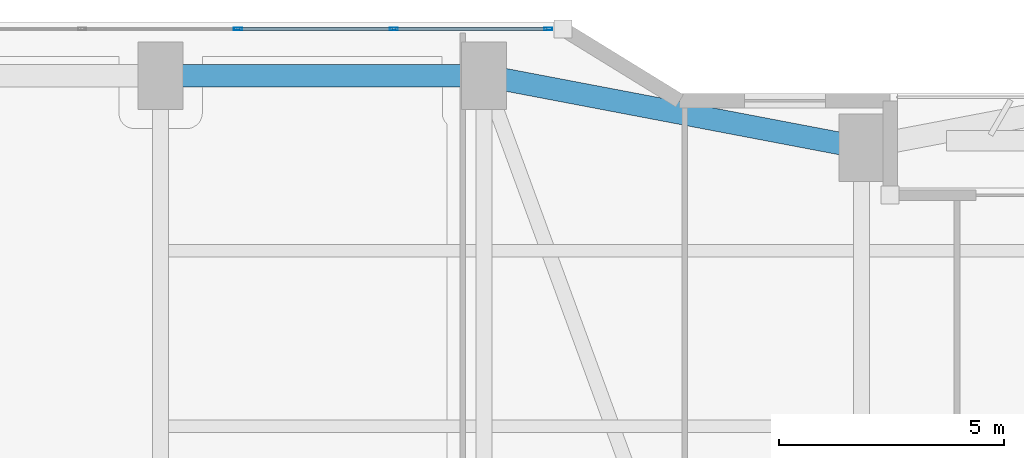
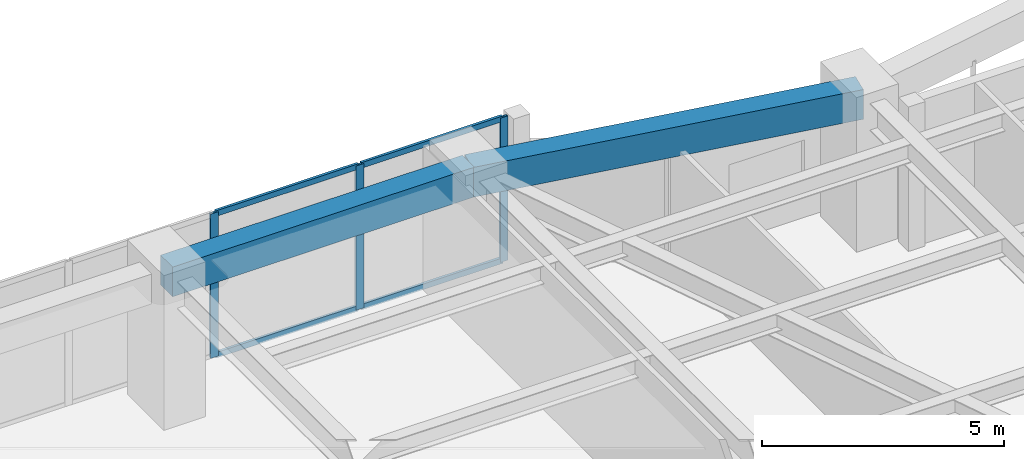
# One storey, part 17 of 28: 7 members, 2 beams, 1 element without a shape of its own.
"""IFC4 building model written with IfcOpenShell, lengths in metres."""

from ifc_helpers import new_model, si_unit, direction, frame, origin, origin_2d, place, context, subcontext, project, spatial, rectangle, hollow_rectangle, extrude, material, layer, layer_set, material_profile, profile_set, type_object, element, aggregate, save


model = new_model("IFC4")

# Units and contexts
model_context = context("Model", 3, precision=1e-05, world=origin(), true_north=direction((0.0, 1.0)))
body_context = subcontext(model_context, "Body", "Model", "MODEL_VIEW")
ifc_project = project(units=[si_unit("LENGTHUNIT", "METRE"), si_unit("AREAUNIT", "SQUARE_METRE"), si_unit("VOLUMEUNIT", "CUBIC_METRE"), si_unit("PLANEANGLEUNIT", "RADIAN"), si_unit("MASSUNIT", "GRAM", prefix="KILO")], contexts=[model_context])

# Site, building, storey
site_placement = place(None, origin())
site = spatial("IfcSite", under=ifc_project, at=site_placement, CompositionType="ELEMENT")
building_placement = place(site_placement, origin())
building = spatial("IfcBuilding", under=site, at=building_placement, Name="Kiyonajd Concourse Tower", CompositionType="ELEMENT")
storey_placement = place(building_placement, frame((0.0, 0.0, 41.10009765625)))
storey = spatial("IfcBuildingStorey", under=building, at=storey_placement, Name="L11", CompositionType="ELEMENT", Elevation=41.10009765625)

# Beams
ifc_material_1 = material(Name="Precast concrete C50/60", Category="concrete")
ifc_material_profile_1 = material_profile(ifc_material_1, rectangle(XDim=0.5, YDim=0.75, at=origin_2d()), Name="RCBM-500x750")
ifc_profile_set_1 = profile_set([ifc_material_profile_1], Name="Precast concrete C50/60")
beam_type = type_object("IfcBeamType", Name="BM-SPAN-RC", PredefinedType="SPANDREL", material=ifc_profile_set_1)
beam_1_placement = place(storey_placement, frame((48.0, 59.60009765625, 3.264892578125), z_axis=(-0.982341315253, 0.187097675953, 0.0), x_axis=(-0.187097675953, -0.982341315253, 0.0)))
element("IfcBeam", 1, at=beam_1_placement, inside=storey, type_object=beam_type, Name="L11 Perimeter Bundled Tube Spandrel", PredefinedType="SPANDREL", context=body_context, shape_type="SweptSolid", body=[
    extrude(rectangle(XDim=0.5, YDim=0.75, at=origin_2d()), origin(), (0.0, 0.0, 1.0), 8.55078125),
])
beam_2_placement = place(storey_placement, frame((39.60009765625, 61.199951171875, 3.264892578125), z_axis=(-1.0, 0.0, 0.0), x_axis=(0.0, -1.0, 0.0)))
element("IfcBeam", 2, at=beam_2_placement, inside=storey, type_object=beam_type, Name="L11 Perimeter Bundled Tube Spandrel", PredefinedType="SPANDREL", context=body_context, shape_type="SweptSolid", body=[
    extrude(rectangle(XDim=0.5, YDim=0.75, at=origin_2d()), origin(), (0.0, 0.0, 1.0), 7.2001953125),
])

# Curtain wall, members
ifc_material_2 = material(Name="Thermally Broken Anodised Aluminium", Category="aluminium")
ifc_layer = layer(ifc_material_2, 0.179931640625)
ifc_layer_set = layer_set([ifc_layer], Name="Thermally Broken Anodised Aluminium")
curtain_wall_type = type_object("IfcCurtainWallType", Name="CW-SYS-02", PredefinedType="NOTDEFINED", material=ifc_layer_set)
curtain_wall_placement = place(storey_placement, origin())
curtain_wall = element("IfcCurtainWall", 3, at=curtain_wall_placement, inside=storey, type_object=curtain_wall_type, Name="L11 Unitised Curtain Wall CW2", PredefinedType="NOTDEFINED")
ifc_material_profile_2 = material_profile(ifc_material_2, hollow_rectangle(XDim=0.06494140625, YDim=0.179931640625, WallThickness=0.00390625, at=origin_2d()), Name="MULL-65x180")
ifc_profile_set_2 = profile_set([ifc_material_profile_2], Name="Thermally Broken Anodised Aluminium")
member_type_1 = type_object("IfcMemberType", Name="MB-CW-MULL1", PredefinedType="MULLION", material=ifc_profile_set_2)
member_1_placement = place(storey_placement, frame((34.123291015625, 62.239990234375, 0.0), z_axis=(0.0, 0.0, 1.0), x_axis=(0.0, 1.0, 0.0)))
member_1 = element("IfcMember", 4, at=member_1_placement, type_object=member_type_1, Name="CW2 mullion 4", PredefinedType="MULLION", context=body_context, shape_type="SweptSolid", body=[
    extrude(hollow_rectangle(XDim=0.06494140625, YDim=0.179931640625, WallThickness=0.00390625, at=origin_2d()), origin(), (0.0, 0.0, 1.0), 3.639892578125),
])
member_2_placement = place(storey_placement, frame((37.593994140625, 62.239990234375, 0.0), z_axis=(0.0, 0.0, 1.0), x_axis=(0.0, 1.0, 0.0)))
member_2 = element("IfcMember", 5, at=member_2_placement, type_object=member_type_1, Name="CW2 mullion 5", PredefinedType="MULLION", context=body_context, shape_type="SweptSolid", body=[
    extrude(hollow_rectangle(XDim=0.06494140625, YDim=0.179931640625, WallThickness=0.00390625, at=origin_2d()), origin(), (0.0, 0.0, 1.0), 3.639892578125),
])
member_3_placement = place(storey_placement, frame((41.0322265625, 62.239990234375, 0.0), z_axis=(0.0, 0.0, 1.0), x_axis=(0.0, 1.0, 0.0)))
member_3 = element("IfcMember", 6, at=member_3_placement, type_object=member_type_1, Name="CW2 mullion 6", PredefinedType="MULLION", context=body_context, shape_type="SweptSolid", body=[
    extrude(hollow_rectangle(XDim=0.06494140625, YDim=0.179931640625, WallThickness=0.00390625, at=origin_2d()), origin(), (0.0, 0.0, 1.0), 3.639892578125),
])
ifc_material_profile_3 = material_profile(ifc_material_2, hollow_rectangle(XDim=0.06494140625, YDim=0.139892578125, WallThickness=0.00390625, at=origin_2d()), Name="TRAN-65x140")
ifc_profile_set_3 = profile_set([ifc_material_profile_3], Name="Thermally Broken Anodised Aluminium")
member_type_2 = type_object("IfcMemberType", Name="MB-CW-TRAN1", PredefinedType="USERDEFINED", material=ifc_profile_set_3)
member_4_placement = place(storey_placement, frame((34.15576171875, 62.239990234375, 0.032470703125), z_axis=(1.0, 0.0, 0.0), x_axis=(0.0, 1.0, 0.0)))
member_4 = element("IfcMember", 7, at=member_4_placement, type_object=member_type_2, Name="CW2 transom 4.1", ObjectType="TRANSOM", PredefinedType="USERDEFINED", context=body_context, shape_type="SweptSolid", body=[
    extrude(hollow_rectangle(XDim=0.06494140625, YDim=0.139892578125, WallThickness=0.00390625, at=origin_2d()), origin(), (0.0, 0.0, 1.0), 3.40576171875),
])
member_5_placement = place(storey_placement, frame((34.15576171875, 62.239990234375, 3.607421875), z_axis=(1.0, 0.0, 0.0), x_axis=(0.0, 1.0, 0.0)))
member_5 = element("IfcMember", 8, at=member_5_placement, type_object=member_type_2, Name="CW2 transom 4.2", ObjectType="TRANSOM", PredefinedType="USERDEFINED", context=body_context, shape_type="SweptSolid", body=[
    extrude(hollow_rectangle(XDim=0.06494140625, YDim=0.139892578125, WallThickness=0.00390625, at=origin_2d()), origin(), (0.0, 0.0, 1.0), 3.40576171875),
])
member_6_placement = place(storey_placement, frame((37.62646484375, 62.239990234375, 0.032470703125), z_axis=(1.0, 0.0, 0.0), x_axis=(0.0, 1.0, 0.0)))
member_6 = element("IfcMember", 9, at=member_6_placement, type_object=member_type_2, Name="CW2 transom 5.1", ObjectType="TRANSOM", PredefinedType="USERDEFINED", context=body_context, shape_type="SweptSolid", body=[
    extrude(hollow_rectangle(XDim=0.06494140625, YDim=0.139892578125, WallThickness=0.00390625, at=origin_2d()), origin(), (0.0, 0.0, 1.0), 3.373291015625),
])
member_7_placement = place(storey_placement, frame((37.62646484375, 62.239990234375, 3.607421875), z_axis=(1.0, 0.0, 0.0), x_axis=(0.0, 1.0, 0.0)))
member_7 = element("IfcMember", 10, at=member_7_placement, type_object=member_type_2, Name="CW2 transom 5.2", ObjectType="TRANSOM", PredefinedType="USERDEFINED", context=body_context, shape_type="SweptSolid", body=[
    extrude(hollow_rectangle(XDim=0.06494140625, YDim=0.139892578125, WallThickness=0.00390625, at=origin_2d()), origin(), (0.0, 0.0, 1.0), 3.373291015625),
])
aggregate(curtain_wall, [member_1, member_2, member_3, member_4, member_5, member_6, member_7])

save(model, "model.ifc")
